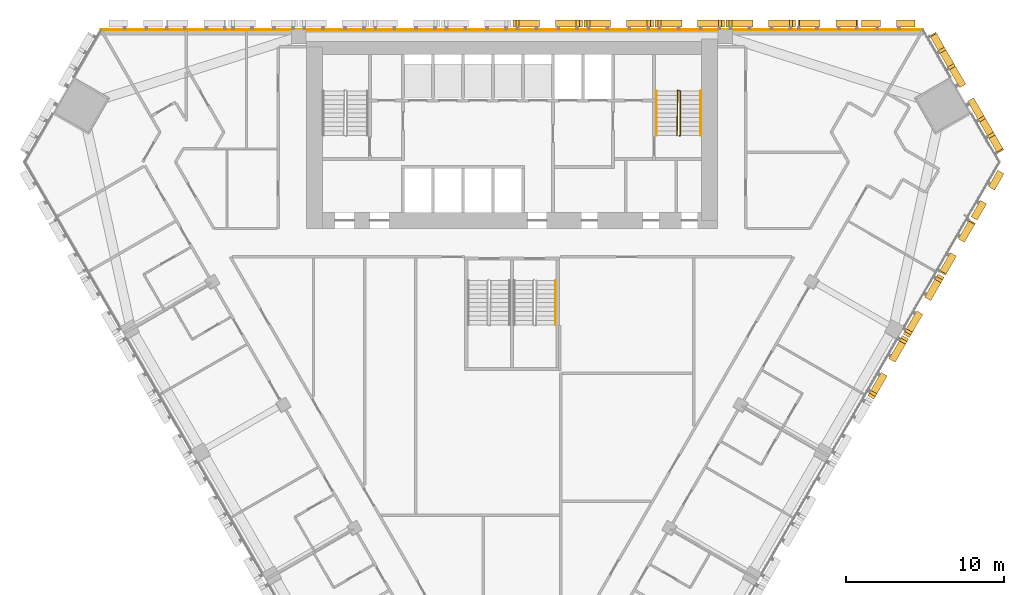
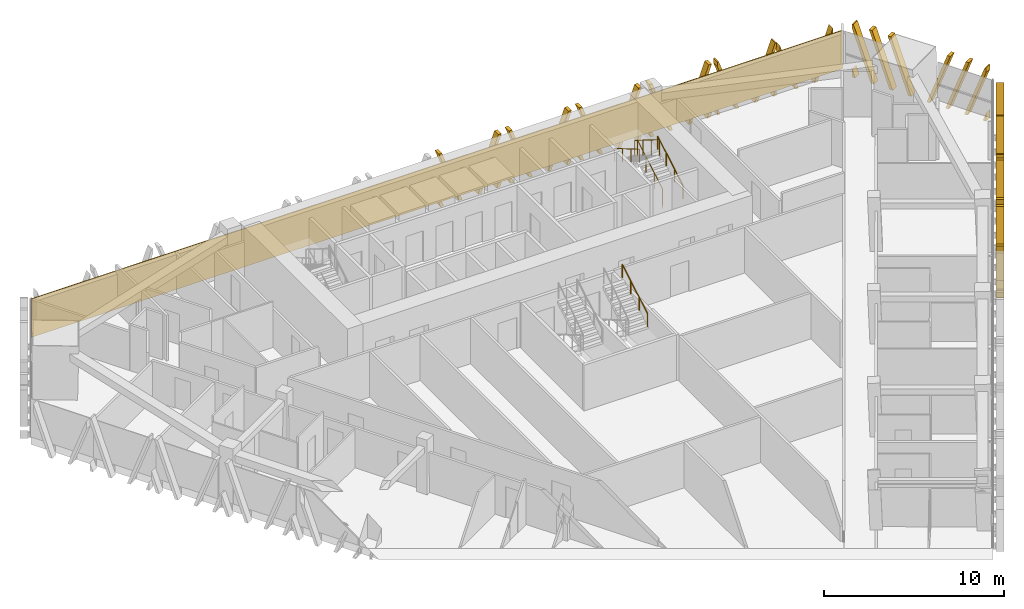
# One storey, part 17 of 18: 11 shading devices, 4 railings, 1 covering.
"""IFC4 building model written with IfcOpenShell, lengths in metres."""

import ifcopenshell
import ifcopenshell.guid

model = None  # the IFC model being written
_history = None  # IfcOwnerHistory: only IFC2X3 demands one
_inside = {}  # id of a spatial element -> (the spatial element, [elements in it])
_under = {}  # id of a project, library or spatial element -> (it, [spatial elements below it])
_declared = {}  # id of a project -> (the project, [libraries it declares])
_typed = {}  # id of a type object -> (the type object, [elements of that type])
_made_of = {}  # id of a material, layer set ... -> (it, [elements and type objects made of it])


def new_model(schema):
    """Start an empty IFC model of exactly this schema.

    Asked for "IFC4X3", IfcOpenShell would pick the latest addendum, in which some entities
    have other attributes; the version numbers below select the first issue.
    IFC2X3 requires an IfcOwnerHistory on every rooted entity: one is made here for all.
    """
    global model, _history
    if schema == "IFC4X3":
        model = ifcopenshell.file(schema_version=(4, 3, 0, 0))
    else:
        model = ifcopenshell.file(schema=schema)
    _inside.clear()
    _under.clear()
    _declared.clear()
    _typed.clear()
    _made_of.clear()
    _history = None
    if model.schema == "IFC2X3":
        org = make("IfcOrganization", Name="unknown")
        user = make(
            "IfcPersonAndOrganization",
            ThePerson=make("IfcPerson", FamilyName="unknown"),
            TheOrganization=org,
        )
        app = make(
            "IfcApplication",
            ApplicationDeveloper=org,
            Version="unknown",
            ApplicationFullName="unknown",
            ApplicationIdentifier="unknown",
        )
        _history = make(
            "IfcOwnerHistory",
            OwningUser=user,
            OwningApplication=app,
            ChangeAction="ADDED",
            CreationDate=0,
        )
    return model


def make(cls, **values):
    """One entity of the class cls with the attributes given. An attribute that is None is left unset."""
    return model.create_entity(
        cls, **{name: value for name, value in values.items() if value is not None}
    )


def rooted(cls, **values):
    """An entity with a GlobalId (a new one), such as an element, a storey or a relation."""
    return make(cls, GlobalId=ifcopenshell.guid.new(), OwnerHistory=_history, **values)


def si_unit(unit_type, name, prefix=None):
    """IfcSIUnit, for example si_unit("LENGTHUNIT", "METRE", prefix="MILLI")."""
    return make("IfcSIUnit", UnitType=unit_type, Prefix=prefix, Name=name)


def assignment(units):
    """IfcUnitAssignment: the units of a project."""
    return None if units is None else make("IfcUnitAssignment", Units=units)


def point(xyz):
    """IfcCartesianPoint."""
    return None if xyz is None else make("IfcCartesianPoint", Coordinates=xyz)


def direction(xyz):
    """IfcDirection."""
    return None if xyz is None else make("IfcDirection", DirectionRatios=xyz)


def frame(location, z_axis=None, x_axis=None):
    """IfcAxis2Placement3D, a coordinate frame: its origin and axes. An axis left out is left unset."""
    return make(
        "IfcAxis2Placement3D",
        Location=point(location),
        Axis=direction(z_axis),
        RefDirection=direction(x_axis),
    )


def frame_2d(location, x_axis=None):
    """IfcAxis2Placement2D, a coordinate frame in the plane: its origin and x axis."""
    return make(
        "IfcAxis2Placement2D", Location=point(location), RefDirection=direction(x_axis)
    )


def origin():
    """The frame at (0, 0, 0) with its axes left unset."""
    return frame((0.0, 0.0, 0.0))


def origin_2d():
    """The frame at (0, 0) in the plane with its x axis left unset."""
    return frame_2d((0.0, 0.0))


def place(relative_to, where):
    """IfcLocalPlacement: puts the frame where relative to a parent placement (None: the world)."""
    return make(
        "IfcLocalPlacement", PlacementRelTo=relative_to, RelativePlacement=where
    )


def context(
    kind, dimensions, precision=None, world=None, true_north=None, identifier=None
):
    """IfcGeometricRepresentationContext, for example the 3D "Model" context."""
    return make(
        "IfcGeometricRepresentationContext",
        ContextIdentifier=identifier,
        ContextType=kind,
        CoordinateSpaceDimension=dimensions,
        Precision=precision,
        WorldCoordinateSystem=world,
        TrueNorth=true_north,
    )


def subcontext(parent, identifier, kind, view, scale=None):
    """IfcGeometricRepresentationSubContext, for example "Body" below "Model"."""
    return make(
        "IfcGeometricRepresentationSubContext",
        ContextIdentifier=identifier,
        ContextType=kind,
        ParentContext=parent,
        TargetScale=scale,
        TargetView=view,
    )


def project(units=None, contexts=None):
    """IfcProject with its units and contexts."""
    return rooted(
        "IfcProject",
        Name="project",
        RepresentationContexts=contexts,
        UnitsInContext=assignment(units),
    )


def spatial(cls, under=None, at=None, **own):
    """A site, building, storey or space (cls), placed at a placement, below another one or the project."""
    s = rooted(cls, ObjectPlacement=at, **own)
    if under is not None:
        _under.setdefault(under.id(), (under, []))[1].append(s)
    return s


def polyline(points):
    """IfcPolyline through the points."""
    return make("IfcPolyline", Points=[point(p) for p in points])


def profile(cls, at=None, kind="AREA", **sizes):
    """A parametric profile (cls). Its sizes go by their IFC names, for example OverallWidth=200.0."""
    return make(cls, ProfileType=kind, Position=at, **sizes)


def rectangle(**sizes):
    """IfcRectangleProfileDef."""
    return profile("IfcRectangleProfileDef", **sizes)


def circle(**sizes):
    """IfcCircleProfileDef."""
    return profile("IfcCircleProfileDef", **sizes)


def outline(outer, holes=None, kind="AREA"):
    """IfcArbitraryClosedProfileDef: a profile drawn as a closed curve; with holes, ...WithVoids."""
    if holes is None:
        return make("IfcArbitraryClosedProfileDef", ProfileType=kind, OuterCurve=outer)
    return make(
        "IfcArbitraryProfileDefWithVoids",
        ProfileType=kind,
        OuterCurve=outer,
        InnerCurves=holes,
    )


def extrude(swept, where, along, depth):
    """IfcExtrudedAreaSolid: the profile swept, set in the frame where, extruded along a direction by depth."""
    return make(
        "IfcExtrudedAreaSolid",
        SweptArea=swept,
        Position=where,
        ExtrudedDirection=direction(along),
        Depth=depth,
    )


def shape(context_of_items, identifier, shape_type, items):
    """IfcShapeRepresentation: the items that make up one representation, for example the "Body"."""
    return make(
        "IfcShapeRepresentation",
        ContextOfItems=context_of_items,
        RepresentationIdentifier=identifier,
        RepresentationType=shape_type,
        Items=items,
    )


def source(mapping_origin, context_of_items, identifier, shape_type, items):
    """IfcRepresentationMap: a shape defined once, which mapped items show again and again."""
    return make(
        "IfcRepresentationMap",
        MappingOrigin=mapping_origin,
        MappedRepresentation=shape(context_of_items, identifier, shape_type, items),
    )


def transform(
    local_origin,
    x_axis=None,
    y_axis=None,
    z_axis=None,
    scale=None,
    scale2=None,
    scale3=None,
    uniform=True,
):
    """IfcCartesianTransformationOperator3D, or its non-uniform kind. x_axis, y_axis, z_axis: its Axis1, 2, 3."""
    if uniform:
        return make(
            "IfcCartesianTransformationOperator3D",
            Axis1=direction(x_axis),
            Axis2=direction(y_axis),
            LocalOrigin=point(local_origin),
            Scale=scale,
            Axis3=direction(z_axis),
        )
    return make(
        "IfcCartesianTransformationOperator3DnonUniform",
        Axis1=direction(x_axis),
        Axis2=direction(y_axis),
        LocalOrigin=point(local_origin),
        Scale=scale,
        Axis3=direction(z_axis),
        Scale2=scale2,
        Scale3=scale3,
    )


def mapped(mapping_source, mapping_target):
    """IfcMappedItem: shows the shape of a source again, moved by a transform."""
    return make(
        "IfcMappedItem", MappingSource=mapping_source, MappingTarget=mapping_target
    )


def material(Name=None, Category=None):
    """IfcMaterial."""
    return make("IfcMaterial", Name=Name, Category=Category)


def layer(
    of_material, thickness, ventilated=None, Name=None, Category=None, Priority=None
):
    """IfcMaterialLayer: one layer of a wall or slab, of a material (None: an air gap)."""
    return make(
        "IfcMaterialLayer",
        Material=of_material,
        LayerThickness=thickness,
        IsVentilated=ventilated,
        Name=Name,
        Category=Category,
        Priority=Priority,
    )


def layer_set(layers, Name=None):
    """IfcMaterialLayerSet."""
    return make("IfcMaterialLayerSet", MaterialLayers=layers, LayerSetName=Name)


def made_of(thing, what):
    """Note that an element or type object is made of a material, layer set ...; save() writes the relation."""
    if what is not None:
        _made_of.setdefault(what.id(), (what, []))[1].append(thing)
    return thing


def type_object(cls, material=None, **own):
    """A type object (cls), such as IfcWallType, which elements share."""
    return made_of(rooted(cls, **own), material)


def element(
    cls,
    number,
    at=None,
    inside=None,
    cuts=None,
    type_object=None,
    material=None,
    context=None,
    identifier="Body",
    shape_type=None,
    held_by="IfcProductDefinitionShape",
    body=None,
    shapes=None,
    **own,
):
    """One element of the class cls, such as IfcWall. Its Tag is "e" and its number.

    at: its placement. inside: the storey or other place that contains it. cuts: it is an
    opening in that element (IfcRelVoidsElement). A single representation is given by context,
    identifier, shape_type and body (its items); several are given by shapes. held_by: the class
    of the entity that holds the representations. save() writes the other relations.
    """
    e = rooted(cls, Tag="e%d" % number, ObjectPlacement=at, **own)
    if body is not None:
        shapes = [shape(context, identifier, shape_type, body)]
    if shapes is not None:
        e.Representation = make(held_by, Representations=shapes)
    if inside is not None:
        _inside.setdefault(inside.id(), (inside, []))[1].append(e)
    if cuts is not None:
        rooted(
            "IfcRelVoidsElement", RelatingBuildingElement=cuts, RelatedOpeningElement=e
        )
    if type_object is not None:
        _typed.setdefault(type_object.id(), (type_object, []))[1].append(e)
    return made_of(e, material)


def aggregate(whole, parts):
    """IfcRelAggregates: a whole, such as a stair, and the parts it consists of."""
    return rooted("IfcRelAggregates", RelatingObject=whole, RelatedObjects=parts)


def save(model, path):
    """Write the relations noted so far, then the file.

    IfcRelAggregates (storeys below a building ...), IfcRelContainedInSpatialStructure (elements
    in a storey), IfcRelDefinesByType, IfcRelAssociatesMaterial and IfcRelDeclares: one each for
    every whole, place, type object, material and project.
    """
    for whole, parts in _under.values():
        aggregate(whole, parts)
    for where, things in _inside.values():
        rooted(
            "IfcRelContainedInSpatialStructure",
            RelatedElements=things,
            RelatingStructure=where,
        )
    for kind, things in _typed.values():
        rooted("IfcRelDefinesByType", RelatedObjects=things, RelatingType=kind)
    for what, things in _made_of.values():
        rooted("IfcRelAssociatesMaterial", RelatedObjects=things, RelatingMaterial=what)
    for by, libraries in _declared.values():
        rooted("IfcRelDeclares", RelatingContext=by, RelatedDefinitions=libraries)
    model.write(path)


model = new_model("IFC4")

# Units and contexts
model_context = context("Model", 3, precision=1e-05, world=origin(), true_north=direction((0.0, 1.0)))
body_context = subcontext(model_context, "Body", "Model", "MODEL_VIEW")
ifc_project = project(units=[si_unit("LENGTHUNIT", "METRE"), si_unit("AREAUNIT", "SQUARE_METRE"), si_unit("VOLUMEUNIT", "CUBIC_METRE"), si_unit("PLANEANGLEUNIT", "RADIAN"), si_unit("MASSUNIT", "GRAM", prefix="KILO")], contexts=[model_context])

# Site, building, storey
site_placement = place(None, origin())
site = spatial("IfcSite", under=ifc_project, at=site_placement, CompositionType="ELEMENT")
building_placement = place(site_placement, origin())
building = spatial("IfcBuilding", under=site, at=building_placement, Name="Altiplano Prism Tower", CompositionType="ELEMENT")
storey_placement = place(building_placement, frame((0.0, 0.0, 41.39990234375)))
storey = spatial("IfcBuildingStorey", under=building, at=storey_placement, Name="L09", CompositionType="ELEMENT", Elevation=41.39990234375)

# Railings
ifc_material_1 = material(Name="Steel S355", Category="steel")
railing_type_1 = type_object("IfcRailingType", Name="Stair guard 1100", PredefinedType="GUARDRAIL", material=ifc_material_1)
railing_1_placement = place(storey_placement, frame((95.60009765625, 98.25, 0.0)))
element("IfcRailing", 1, at=railing_1_placement, inside=storey, type_object=railing_type_1, Name="L09 ST2 stair guard 1", PredefinedType="GUARDRAIL", context=body_context, shape_type="SweptSolid", body=[
    extrude(circle(Radius=0.02392578125, at=origin_2d()), frame((0.0, 0.0, 1.076171875), z_axis=(0.279194930351, 0.280563532951, 0.91833234444), x_axis=(-0.708833529934, 0.705375805398, 0.0)), (0.0, 0.0, 1.0), 0.178466796875),
    extrude(circle(Radius=0.02392578125, at=origin_2d()), frame((0.0498046875, 0.050048828125, 1.23974609375), z_axis=(0.0, 0.863393664356, 0.504530851732), x_axis=(-1.0, 0.0, 0.0)), (0.0, 0.0, 1.0), 3.2431640625),
    extrude(circle(Radius=0.02392578125, at=origin_2d()), frame((0.0498046875, 2.85009765625, 2.8759765625), z_axis=(-0.948991962702, 0.315300261223, 0.0), x_axis=(-0.315300261223, -0.948991962702, 0.0)), (0.0, 0.0, 1.0), 0.157958984375),
    extrude(circle(Radius=0.02392578125, at=origin_2d()), frame((-0.10009765625, 2.89990234375, 2.8759765625), z_axis=(-0.014846418356, -0.845376787675, 0.533964109957), x_axis=(0.999845825584, -0.017559187376, 0.0)), (0.0, 0.0, 1.0), 3.37109375),
    extrude(circle(Radius=0.02099609375, at=origin_2d()), origin(), (0.0, 0.0, 1.0), 1.052001953125),
    extrude(circle(Radius=0.02099609375, at=origin_2d()), frame((0.0498046875, 0.050048828125, 0.163818359375)), (0.0, 0.0, 1.0), 1.052001953125),
    extrude(circle(Radius=0.02099609375, at=origin_2d()), frame((0.0498046875, 0.9833984375, 0.709228515625)), (0.0, 0.0, 1.0), 1.052001953125),
    extrude(circle(Radius=0.02099609375, at=origin_2d()), frame((0.0498046875, 1.916748046875, 1.254638671875)), (0.0, 0.0, 1.0), 1.052001953125),
    extrude(circle(Radius=0.02099609375, at=origin_2d()), frame((0.0498046875, 2.85009765625, 1.800048828125)), (0.0, 0.0, 1.0), 1.052001953125),
    extrude(circle(Radius=0.02099609375, at=origin_2d()), frame((-0.10009765625, 2.89990234375, 1.800048828125)), (0.0, 0.0, 1.0), 1.052001953125),
    extrude(circle(Radius=0.02099609375, at=origin_2d()), frame((-0.11669921875, 1.949951171875, 2.400146484375)), (0.0, 0.0, 1.0), 1.052001953125),
    extrude(circle(Radius=0.02099609375, at=origin_2d()), frame((-0.133544921875, 1.0, 3.0)), (0.0, 0.0, 1.0), 1.052001953125),
    extrude(circle(Radius=0.02099609375, at=origin_2d()), frame((-0.150146484375, 0.050048828125, 3.60009765625)), (0.0, 0.0, 1.0), 1.052001953125),
])
railing_type_2 = type_object("IfcRailingType", Name="Stair handrail 900", PredefinedType="HANDRAIL", material=ifc_material_1)
railing_2_placement = place(storey_placement, frame((96.949951171875, 98.300048828125, 0.163818359375)))
element("IfcRailing", 2, at=railing_2_placement, inside=storey, type_object=railing_type_2, Name="L09 ST2 stair handrail 1", PredefinedType="HANDRAIL", context=body_context, shape_type="SweptSolid", body=[
    extrude(circle(Radius=0.02392578125, at=origin_2d()), frame((0.0, 0.0, 0.8759765625), z_axis=(0.0, 0.863393664356, 0.504530851732), x_axis=(-1.0, 0.0, 0.0)), (0.0, 0.0, 1.0), 3.2431640625),
    extrude(circle(Radius=0.02099609375, at=origin_2d()), origin(), (0.0, 0.0, 1.0), 0.851806640625),
    extrude(circle(Radius=0.02099609375, at=origin_2d()), frame((0.0, 0.933349609375, 0.54541015625)), (0.0, 0.0, 1.0), 0.851806640625),
    extrude(circle(Radius=0.02099609375, at=origin_2d()), frame((0.0, 1.86669921875, 1.0908203125)), (0.0, 0.0, 1.0), 0.851806640625),
    extrude(circle(Radius=0.02099609375, at=origin_2d()), frame((0.0, 2.800048828125, 1.63623046875)), (0.0, 0.0, 1.0), 0.851806640625),
])
railing_3_placement = place(storey_placement, frame((94.14990234375, 101.10009765625, 1.963623046875)))
element("IfcRailing", 3, at=railing_3_placement, inside=storey, type_object=railing_type_2, Name="L09 ST2 stair handrail 2", PredefinedType="HANDRAIL", context=body_context, shape_type="SweptSolid", body=[
    extrude(circle(Radius=0.02392578125, at=origin_2d()), frame((0.0, 0.0, 0.8759765625), z_axis=(0.0, -0.863360870873, 0.504586966384), x_axis=(1.0, 0.0, 0.0)), (0.0, 0.0, 1.0), 3.2431640625),
    extrude(circle(Radius=0.02099609375, at=origin_2d()), origin(), (0.0, 0.0, 1.0), 0.851806640625),
    extrude(circle(Radius=0.02099609375, at=origin_2d()), frame((0.0, -0.933349609375, 0.54541015625)), (0.0, 0.0, 1.0), 0.851806640625),
    extrude(circle(Radius=0.02099609375, at=origin_2d()), frame((0.0, -1.86669921875, 1.091064453125)), (0.0, 0.0, 1.0), 0.851806640625),
    extrude(circle(Radius=0.02099609375, at=origin_2d()), frame((0.0, -2.800048828125, 1.636474609375)), (0.0, 0.0, 1.0), 0.851806640625),
])
railing_4_placement = place(storey_placement, frame((87.75, 86.300048828125, 1.963623046875)))
element("IfcRailing", 4, at=railing_4_placement, inside=storey, type_object=railing_type_2, Name="L09 ST3B stair handrail 2", PredefinedType="HANDRAIL", context=body_context, shape_type="SweptSolid", body=[
    extrude(circle(Radius=0.02392578125, at=origin_2d()), frame((0.0, 0.0, 0.8759765625), z_axis=(0.0, 0.863360870873, 0.504586966384), x_axis=(-1.0, 0.0, 0.0)), (0.0, 0.0, 1.0), 3.2431640625),
    extrude(circle(Radius=0.02099609375, at=origin_2d()), origin(), (0.0, 0.0, 1.0), 0.851806640625),
    extrude(circle(Radius=0.02099609375, at=origin_2d()), frame((0.0, 0.933349609375, 0.54541015625)), (0.0, 0.0, 1.0), 0.851806640625),
    extrude(circle(Radius=0.02099609375, at=origin_2d()), frame((0.0, 1.86669921875, 1.091064453125)), (0.0, 0.0, 1.0), 0.851806640625),
    extrude(circle(Radius=0.02099609375, at=origin_2d()), frame((0.0, 2.800048828125, 1.636474609375)), (0.0, 0.0, 1.0), 0.851806640625),
])

# Covering
ifc_material_2 = material(Name="Warm limestone cast stone", Category="masonry")
ifc_layer = layer(ifc_material_2, 0.06005859375)
ifc_layer_set = layer_set([ifc_layer], Name="Warm limestone cast stone")
covering_type = type_object("IfcCoveringType", Name="Stone cladding 60", PredefinedType="CLADDING", material=ifc_layer_set)
covering_placement = place(storey_placement, frame((58.958984375, 104.969970703125, 0.0), z_axis=(0.0, 0.0, 1.0), x_axis=(1.0, 0.0, 0.0)))
element("IfcCovering", 5, at=covering_placement, inside=storey, type_object=covering_type, Name="Stone cladding north face L09", PredefinedType="CLADDING", context=body_context, shape_type="SweptSolid", body=[
    extrude(rectangle(XDim=52.08203125, YDim=0.06005859375, at=frame_2d((26.041015625, 0.0))), origin(), (0.0, 0.0, 1.0), 2.60009765625),
])

# Shading devices
shading_device_type_1 = type_object("IfcShadingDeviceType", Name="Stone fin panel, standard unit", PredefinedType="USERDEFINED", material=ifc_material_2)
shared_shape_1 = source(origin(), body_context, "Body", "SweptSolid", [
    extrude(outline(polyline([(-2.199951171875, 1.373779296875), (-2.199951171875, 0.82421875), (-1.89990234375, 0.0), (-1.699951171875, 0.0), (-2.199951171875, 1.373779296875)])), frame((0.0, -0.14990234375, 0.0), z_axis=(0.0, -1.0, 0.0), x_axis=(1.0, 0.0, 0.0)), (0.0, 0.0, 1.0), 0.4501953125),
    extrude(outline(polyline([(-2.01025390625, 3.60009765625), (-0.699951171875, 0.0), (-0.5, 0.0), (-1.810302734375, 3.60009765625), (-2.01025390625, 3.60009765625)])), frame((0.0, -0.14990234375, 0.0), z_axis=(0.0, -1.0, 0.0), x_axis=(1.0, 0.0, 0.0)), (0.0, 0.0, 1.0), 0.4501953125),
    extrude(outline(polyline([(1.810302734375, 3.60009765625), (0.5, 0.0), (0.699951171875, 0.0), (2.01025390625, 3.60009765625), (1.810302734375, 3.60009765625)])), frame((0.0, -0.14990234375, 0.0), z_axis=(0.0, -1.0, 0.0), x_axis=(1.0, 0.0, 0.0)), (0.0, 0.0, 1.0), 0.4501953125),
    extrude(outline(polyline([(2.199951171875, 0.82421875), (2.199951171875, 1.373779296875), (1.699951171875, 0.0), (1.89990234375, 0.0), (2.199951171875, 0.82421875)])), frame((0.0, -0.14990234375, 0.0), z_axis=(0.0, -1.0, 0.0), x_axis=(1.0, 0.0, 0.0)), (0.0, 0.0, 1.0), 0.4501953125),
])
shading_device_1_placement = place(storey_placement, origin())
element("IfcShadingDevice", 6, at=shading_device_1_placement, inside=storey, type_object=shading_device_type_1, Name="Fin L09 north face 3", ObjectType="FIN", PredefinedType="USERDEFINED", context=body_context, shape_type="MappedRepresentation", body=[
    mapped(shared_shape_1, transform((100.75, 105.0, -0.5), x_axis=(-1.0, 0.0, 0.0), y_axis=(0.0, -1.0, 0.0), z_axis=(0.0, 0.0, 1.0))),
])
shading_device_2_placement = place(storey_placement, origin())
element("IfcShadingDevice", 7, at=shading_device_2_placement, inside=storey, type_object=shading_device_type_1, Name="Fin L09 north face 4", ObjectType="FIN", PredefinedType="USERDEFINED", context=body_context, shape_type="MappedRepresentation", body=[
    mapped(shared_shape_1, transform((96.25, 105.0, -0.5), x_axis=(-1.0, 0.0, 0.0), y_axis=(0.0, -1.0, 0.0), z_axis=(0.0, 0.0, 1.0))),
])
shading_device_3_placement = place(storey_placement, origin())
element("IfcShadingDevice", 8, at=shading_device_3_placement, inside=storey, type_object=shading_device_type_1, Name="Fin L09 north face 5", ObjectType="FIN", PredefinedType="USERDEFINED", context=body_context, shape_type="MappedRepresentation", body=[
    mapped(shared_shape_1, transform((91.75, 105.0, -0.5), x_axis=(-1.0, 0.0, 0.0), y_axis=(0.0, -1.0, 0.0), z_axis=(0.0, 0.0, 1.0))),
])
shading_device_4_placement = place(storey_placement, origin())
element("IfcShadingDevice", 9, at=shading_device_4_placement, inside=storey, type_object=shading_device_type_1, Name="Fin L09 north face 6", ObjectType="FIN", PredefinedType="USERDEFINED", context=body_context, shape_type="MappedRepresentation", body=[
    mapped(shared_shape_1, transform((87.25, 105.0, -0.5), x_axis=(-1.0, 0.0, 0.0), y_axis=(0.0, -1.0, 0.0), z_axis=(0.0, 0.0, 1.0))),
])
shading_device_5_placement = place(storey_placement, origin())
element("IfcShadingDevice", 10, at=shading_device_5_placement, inside=storey, type_object=shading_device_type_1, Name="Fin L09 south-east face 9", ObjectType="FIN", PredefinedType="USERDEFINED", context=body_context, shape_type="MappedRepresentation", body=[
    mapped(shared_shape_1, transform((108.491455078125, 83.796875, -0.5), x_axis=(0.499999999907, 0.866025403838, 0.0), y_axis=(-0.866025403838, 0.499999999907, 0.0), z_axis=(0.0, 0.0, 1.0))),
])
shading_device_6_placement = place(storey_placement, origin())
element("IfcShadingDevice", 11, at=shading_device_6_placement, inside=storey, type_object=shading_device_type_1, Name="Fin L09 south-east face 10", ObjectType="FIN", PredefinedType="USERDEFINED", context=body_context, shape_type="MappedRepresentation", body=[
    mapped(shared_shape_1, transform((110.741455078125, 87.694091796875, -0.5), x_axis=(0.499999999907, 0.866025403838, 0.0), y_axis=(-0.866025403838, 0.499999999907, 0.0), z_axis=(0.0, 0.0, 1.0))),
])
shading_device_type_2 = type_object("IfcShadingDeviceType", Name="Stone fin panel, narrow closing bay", PredefinedType="USERDEFINED", material=ifc_material_2)
shared_shape_2 = source(origin(), body_context, "Body", "SweptSolid", [
    extrude(outline(polyline([(-1.699951171875, 3.297119140625), (-1.699951171875, 2.74755859375), (-0.699951171875, 0.0), (-0.5, 0.0), (-1.699951171875, 3.297119140625)])), frame((0.0, -0.14990234375, 0.0), z_axis=(0.0, -1.0, 0.0), x_axis=(1.0, 0.0, 0.0)), (0.0, 0.0, 1.0), 0.4501953125),
    extrude(outline(polyline([(1.699951171875, 2.74755859375), (1.699951171875, 3.297119140625), (0.5, 0.0), (0.699951171875, 0.0), (1.699951171875, 2.74755859375)])), frame((0.0, -0.14990234375, 0.0), z_axis=(0.0, -1.0, 0.0), x_axis=(1.0, 0.0, 0.0)), (0.0, 0.0, 1.0), 0.4501953125),
])
shading_device_7_placement = place(storey_placement, origin())
element("IfcShadingDevice", 12, at=shading_device_7_placement, inside=storey, type_object=shading_device_type_2, Name="Fin L09 north face 1", ObjectType="FIN", PredefinedType="USERDEFINED", context=body_context, shape_type="MappedRepresentation", body=[
    mapped(shared_shape_2, transform((108.830810546875, 105.0, -0.5), x_axis=(-1.0, 0.0, 0.0), y_axis=(0.0, -1.0, 0.0), z_axis=(0.0, 0.0, 1.0))),
])
shading_device_8_placement = place(storey_placement, origin())
element("IfcShadingDevice", 13, at=shading_device_8_placement, inside=storey, type_object=shading_device_type_2, Name="Fin L09 south-east face 12", ObjectType="FIN", PredefinedType="USERDEFINED", context=body_context, shape_type="MappedRepresentation", body=[
    mapped(shared_shape_2, transform((114.781982421875, 94.692138671875, -0.5), x_axis=(0.499999999907, 0.866025403838, 0.0), y_axis=(-0.866025403838, 0.499999999907, 0.0), z_axis=(0.0, 0.0, 1.0))),
])
shared_shape_3 = source(origin(), body_context, "Body", "SweptSolid", [
    extrude(outline(polyline([(-1.89990234375, 3.60009765625), (-1.89990234375, 3.297119140625), (-0.699951171875, 0.0), (-0.5, 0.0), (-1.810302734375, 3.60009765625), (-1.89990234375, 3.60009765625)])), frame((0.0, -0.14990234375, 0.0), z_axis=(0.0, -1.0, 0.0), x_axis=(1.0, 0.0, 0.0)), (0.0, 0.0, 1.0), 0.4501953125),
    extrude(outline(polyline([(-1.89990234375, 0.549560546875), (-1.89990234375, 0.0), (-1.699951171875, 0.0), (-1.89990234375, 0.549560546875)])), frame((0.0, -0.14990234375, 0.0), z_axis=(0.0, -1.0, 0.0), x_axis=(1.0, 0.0, 0.0)), (0.0, 0.0, 1.0), 0.4501953125),
    extrude(outline(polyline([(1.810302734375, 3.60009765625), (0.5, 0.0), (0.699951171875, 0.0), (1.89990234375, 3.297119140625), (1.89990234375, 3.60009765625), (1.810302734375, 3.60009765625)])), frame((0.0, -0.14990234375, 0.0), z_axis=(0.0, -1.0, 0.0), x_axis=(1.0, 0.0, 0.0)), (0.0, 0.0, 1.0), 0.4501953125),
    extrude(outline(polyline([(1.89990234375, 0.0), (1.89990234375, 0.549560546875), (1.699951171875, 0.0), (1.89990234375, 0.0)])), frame((0.0, -0.14990234375, 0.0), z_axis=(0.0, -1.0, 0.0), x_axis=(1.0, 0.0, 0.0)), (0.0, 0.0, 1.0), 0.4501953125),
])
shading_device_9_placement = place(storey_placement, origin())
element("IfcShadingDevice", 14, at=shading_device_9_placement, inside=storey, type_object=shading_device_type_2, Name="Fin L09 north face 2", ObjectType="FIN", PredefinedType="USERDEFINED", context=body_context, shape_type="MappedRepresentation", body=[
    mapped(shared_shape_3, transform((105.01025390625, 105.0, -0.5), x_axis=(-1.0, 0.0, 0.0), y_axis=(0.0, -1.0, 0.0), z_axis=(0.0, 0.0, 1.0))),
])
shading_device_10_placement = place(storey_placement, origin())
element("IfcShadingDevice", 15, at=shading_device_10_placement, inside=storey, type_object=shading_device_type_2, Name="Fin L09 south-east face 11", ObjectType="FIN", PredefinedType="USERDEFINED", context=body_context, shape_type="MappedRepresentation", body=[
    mapped(shared_shape_3, transform((112.87158203125, 91.383544921875, -0.5), x_axis=(0.499999999907, 0.866025403838, 0.0), y_axis=(-0.866025403838, 0.499999999907, 0.0), z_axis=(0.0, 0.0, 1.0))),
])
shading_device_type_3 = type_object("IfcShadingDeviceType", Name="Stone fin panel, chamfer unit", PredefinedType="USERDEFINED", material=ifc_material_2)
shared_shape_4 = source(origin(), body_context, "Body", "SweptSolid", [
    extrude(outline(polyline([(-4.300048828125, 3.60009765625), (-4.300048828125, 3.297119140625), (-3.10009765625, 0.0), (-2.89990234375, 0.0), (-4.210205078125, 3.60009765625), (-4.300048828125, 3.60009765625)])), frame((0.0, -0.14990234375, 0.0), z_axis=(0.0, -1.0, 0.0), x_axis=(1.0, 0.0, 0.0)), (0.0, 0.0, 1.0), 0.4501953125),
    extrude(outline(polyline([(-4.300048828125, 0.549560546875), (-4.300048828125, 0.0), (-4.10009765625, 0.0), (-4.300048828125, 0.549560546875)])), frame((0.0, -0.14990234375, 0.0), z_axis=(0.0, -1.0, 0.0), x_axis=(1.0, 0.0, 0.0)), (0.0, 0.0, 1.0), 0.4501953125),
    extrude(outline(polyline([(-3.210205078125, 3.60009765625), (-1.89990234375, 0.0), (-1.699951171875, 0.0), (-3.01025390625, 3.60009765625), (-3.210205078125, 3.60009765625)])), frame((0.0, -0.14990234375, 0.0), z_axis=(0.0, -1.0, 0.0), x_axis=(1.0, 0.0, 0.0)), (0.0, 0.0, 1.0), 0.4501953125),
    extrude(outline(polyline([(-2.01025390625, 3.60009765625), (-0.699951171875, 0.0), (-0.5, 0.0), (-1.810302734375, 3.60009765625), (-2.01025390625, 3.60009765625)])), frame((0.0, -0.14990234375, 0.0), z_axis=(0.0, -1.0, 0.0), x_axis=(1.0, 0.0, 0.0)), (0.0, 0.0, 1.0), 0.4501953125),
    extrude(outline(polyline([(1.810302734375, 3.60009765625), (0.5, 0.0), (0.699951171875, 0.0), (2.01025390625, 3.60009765625), (1.810302734375, 3.60009765625)])), frame((0.0, -0.14990234375, 0.0), z_axis=(0.0, -1.0, 0.0), x_axis=(1.0, 0.0, 0.0)), (0.0, 0.0, 1.0), 0.4501953125),
    extrude(outline(polyline([(3.01025390625, 3.60009765625), (1.699951171875, 0.0), (1.89990234375, 0.0), (3.210205078125, 3.60009765625), (3.01025390625, 3.60009765625)])), frame((0.0, -0.14990234375, 0.0), z_axis=(0.0, -1.0, 0.0), x_axis=(1.0, 0.0, 0.0)), (0.0, 0.0, 1.0), 0.4501953125),
    extrude(outline(polyline([(4.210205078125, 3.60009765625), (2.89990234375, 0.0), (3.10009765625, 0.0), (4.300048828125, 3.297119140625), (4.300048828125, 3.60009765625), (4.210205078125, 3.60009765625)])), frame((0.0, -0.14990234375, 0.0), z_axis=(0.0, -1.0, 0.0), x_axis=(1.0, 0.0, 0.0)), (0.0, 0.0, 1.0), 0.4501953125),
    extrude(outline(polyline([(4.300048828125, 0.0), (4.300048828125, 0.549560546875), (4.10009765625, 0.0), (4.300048828125, 0.0)])), frame((0.0, -0.14990234375, 0.0), z_axis=(0.0, -1.0, 0.0), x_axis=(1.0, 0.0, 0.0)), (0.0, 0.0, 1.0), 0.4501953125),
])
shading_device_11_placement = place(storey_placement, origin())
element("IfcShadingDevice", 16, at=shading_device_11_placement, inside=storey, type_object=shading_device_type_3, Name="Fin L09 north-east chamfer 1", ObjectType="FIN", PredefinedType="USERDEFINED", context=body_context, shape_type="MappedRepresentation", body=[
    mapped(shared_shape_4, transform((113.464111328125, 100.80322265625, -0.5), x_axis=(-0.500000006139, 0.86602540024, 0.0), y_axis=(-0.86602540024, -0.500000006139, 0.0), z_axis=(0.0, 0.0, 1.0))),
])

save(model, "model.ifc")
